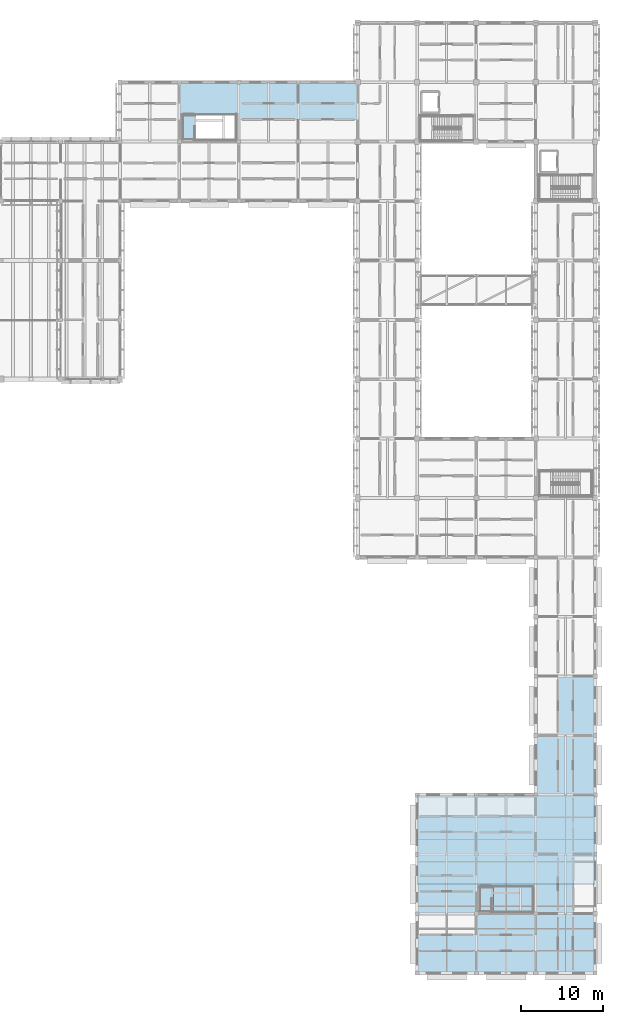
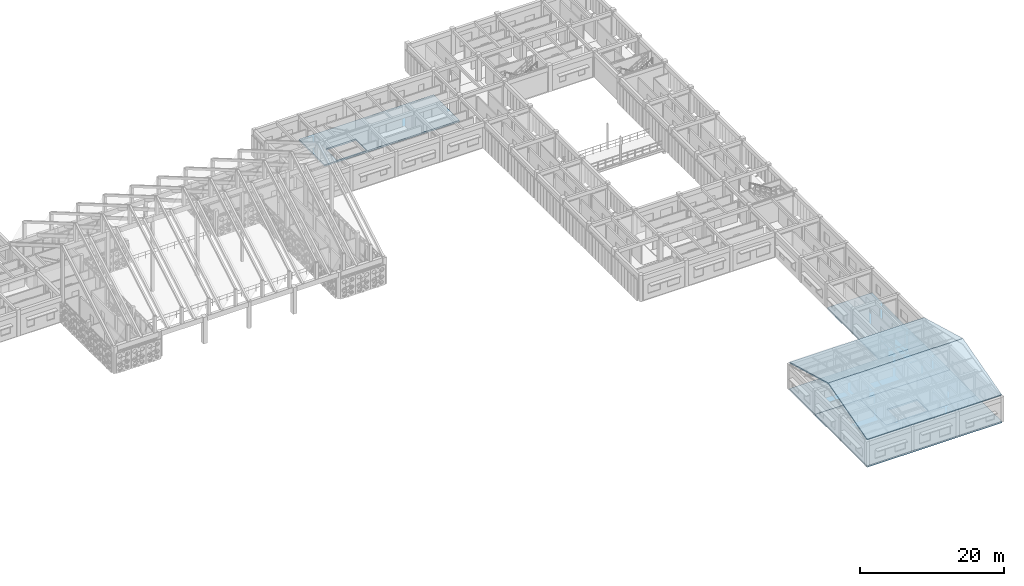
# One storey, part 106 of 171: 7 slabs.
"""IFC4 building model written with IfcOpenShell, lengths in metres."""

from ifc_helpers import new_model, si_unit, direction, frame, origin, place, context, subcontext, project, spatial, polyline, outline, extrude, material, layer, layer_set, type_object, element, save


model = new_model("IFC4")

# Units and contexts
model_context = context("Model", 3, precision=1e-05, world=origin(), true_north=direction((0.0, 1.0)))
body_context = subcontext(model_context, "Body", "Model", "MODEL_VIEW")
ifc_project = project(units=[si_unit("LENGTHUNIT", "METRE"), si_unit("AREAUNIT", "SQUARE_METRE"), si_unit("VOLUMEUNIT", "CUBIC_METRE"), si_unit("PLANEANGLEUNIT", "RADIAN"), si_unit("MASSUNIT", "GRAM", prefix="KILO")], contexts=[model_context])

# Site, building, storey
site_placement = place(None, origin())
site = spatial("IfcSite", under=ifc_project, at=site_placement, CompositionType="ELEMENT")
building_placement = place(site_placement, origin())
building = spatial("IfcBuilding", under=site, at=building_placement, Name="Aldebral Square Health Centre", CompositionType="ELEMENT")
storey_placement = place(building_placement, frame((0.0, 0.0, 4.5)))
storey = spatial("IfcBuildingStorey", under=building, at=storey_placement, Name="L01", CompositionType="ELEMENT", Elevation=4.5)

# Slabs
ifc_material_1 = material(Name="Concrete C35/45", Category="concrete")
ifc_layer_1 = layer(ifc_material_1, 0.260009765625, Name="Concrete C35/45", Category="concrete")
ifc_layer_set_1 = layer_set([ifc_layer_1], Name="Concrete C35/45")
slab_type_1 = type_object("IfcSlabType", Name="SL-FLR-260", PredefinedType="FLOOR", material=ifc_layer_set_1)
slab_1_placement = place(storey_placement, frame((0.0, 0.0, -0.260009765625)))
element("IfcSlab", 1, at=slab_1_placement, inside=storey, type_object=slab_type_1, Name="L01 V3 floor slab 1", PredefinedType="FLOOR", context=body_context, shape_type="SweptSolid", body=[
    extrude(outline(polyline([(144.0, 14.39990234375), (151.199951171875, 14.39990234375), (151.199951171875, 7.199951171875), (158.39990234375, 7.199951171875), (165.60009765625, 7.199951171875), (165.60009765625, 0.0), (158.39990234375, 0.0), (151.199951171875, 0.0), (144.0, 0.0), (144.0, 7.199951171875), (144.0, 14.39990234375)])), origin(), (0.0, 0.0, 1.0), 0.260009765625),
])
slab_2_placement = place(storey_placement, frame((0.0, 0.0, -0.260009765625)))
element("IfcSlab", 2, at=slab_2_placement, inside=storey, type_object=slab_type_1, Name="L01 V3 floor slab 2", PredefinedType="FLOOR", context=body_context, shape_type="SweptSolid", body=[
    extrude(outline(polyline([(144.0, 21.60009765625), (151.199951171875, 21.60009765625), (158.39990234375, 21.60009765625), (165.60009765625, 21.60009765625), (165.60009765625, 14.39990234375), (158.39990234375, 14.39990234375), (151.199951171875, 14.39990234375), (144.0, 14.39990234375), (144.0, 21.60009765625)])), origin(), (0.0, 0.0, 1.0), 0.260009765625),
])
slab_3_placement = place(storey_placement, frame((0.0, 0.0, -0.260009765625)))
element("IfcSlab", 3, at=slab_3_placement, inside=storey, type_object=slab_type_1, Name="L01 V3 floor slab 3", PredefinedType="FLOOR", context=body_context, shape_type="SweptSolid", body=[
    extrude(outline(polyline([(151.199951171875, 14.39990234375), (158.39990234375, 14.39990234375), (165.60009765625, 14.39990234375), (165.60009765625, 7.199951171875), (158.39990234375, 7.199951171875), (151.199951171875, 7.199951171875), (151.199951171875, 14.39990234375)]), holes=[polyline([(158.06005859375, 10.47998046875), (153.219970703125, 10.47998046875), (153.219970703125, 7.39990234375), (158.06005859375, 7.39990234375), (158.06005859375, 10.47998046875)])]), origin(), (0.0, 0.0, 1.0), 0.260009765625),
])
slab_4_placement = place(storey_placement, frame((0.0, 0.0, -0.260009765625)))
element("IfcSlab", 4, at=slab_4_placement, inside=storey, type_object=slab_type_1, Name="L01 V3 floor slab 4", PredefinedType="FLOOR", context=body_context, shape_type="SweptSolid", body=[
    extrude(outline(polyline([(158.39990234375, 21.60009765625), (158.39990234375, 28.800048828125), (158.39990234375, 36.0), (165.60009765625, 36.0), (165.60009765625, 28.800048828125), (165.60009765625, 21.60009765625), (158.39990234375, 21.60009765625)])), origin(), (0.0, 0.0, 1.0), 0.260009765625),
])
ifc_layer_2 = layer(ifc_material_1, 0.27001953125, Name="Concrete C35/45", Category="concrete")
ifc_layer_set_2 = layer_set([ifc_layer_2], Name="Concrete C35/45")
slab_type_2 = type_object("IfcSlabType", Name="SL-FLR-270", PredefinedType="FLOOR", material=ifc_layer_set_2)
slab_5_placement = place(storey_placement, frame((0.0, 0.0, -0.27001953125)))
element("IfcSlab", 5, at=slab_5_placement, inside=storey, type_object=slab_type_2, Name="L01 V5 floor slab 2", PredefinedType="FLOOR", context=body_context, shape_type="SweptSolid", body=[
    extrude(outline(polyline([(115.199951171875, 108.0), (122.39990234375, 108.0), (129.60009765625, 108.0), (136.800048828125, 108.0), (136.800048828125, 100.800048828125), (129.60009765625, 100.800048828125), (122.39990234375, 100.800048828125), (115.199951171875, 100.800048828125), (115.199951171875, 108.0)]), holes=[polyline([(122.06005859375, 104.080078125), (117.219970703125, 104.080078125), (117.219970703125, 101.0), (122.06005859375, 101.0), (122.06005859375, 104.080078125)])]), origin(), (0.0, 0.0, 1.0), 0.27001953125),
])
ifc_material_2 = material(Name="Concrete C40/50", Category="concrete")
ifc_layer_3 = layer(ifc_material_2, 0.18994140625, Name="Concrete C40/50", Category="concrete")
ifc_layer_set_3 = layer_set([ifc_layer_3], Name="Concrete C40/50")
slab_type_3 = type_object("IfcSlabType", Name="SL-PV-190", PredefinedType="ROOF", material=ifc_layer_set_3)
for number, where, z_axis, x_axis, name in (
    (6, (144.0, 0.0, 4.5), (0.0, -0.26764274042, 0.963518221675), (1.0, 0.0, 0.0), "Therapy Pavilion V3 pitched roof slope 1"),
    (7, (165.60009765625, 21.60009765625, 4.5), (0.0, 0.26764274042, 0.963518221675), (-1.0, 0.0, 0.0), "Therapy Pavilion V3 pitched roof slope 2"),
):
    element("IfcSlab", number, at=place(storey_placement, frame(where, z_axis=z_axis, x_axis=x_axis)), inside=storey, type_object=slab_type_3, Name=name, PredefinedType="ROOF", context=body_context, shape_type="SweptSolid", body=[
        extrude(outline(polyline([(0.0, 0.0), (21.60009765625, 0.0), (21.60009765625, 11.208972062142193), (0.0, 11.208972062142193), (0.0, 0.0)])), origin(), (0.0, 0.0, -1.0), 0.18994140625),
    ])

save(model, "model.ifc")
